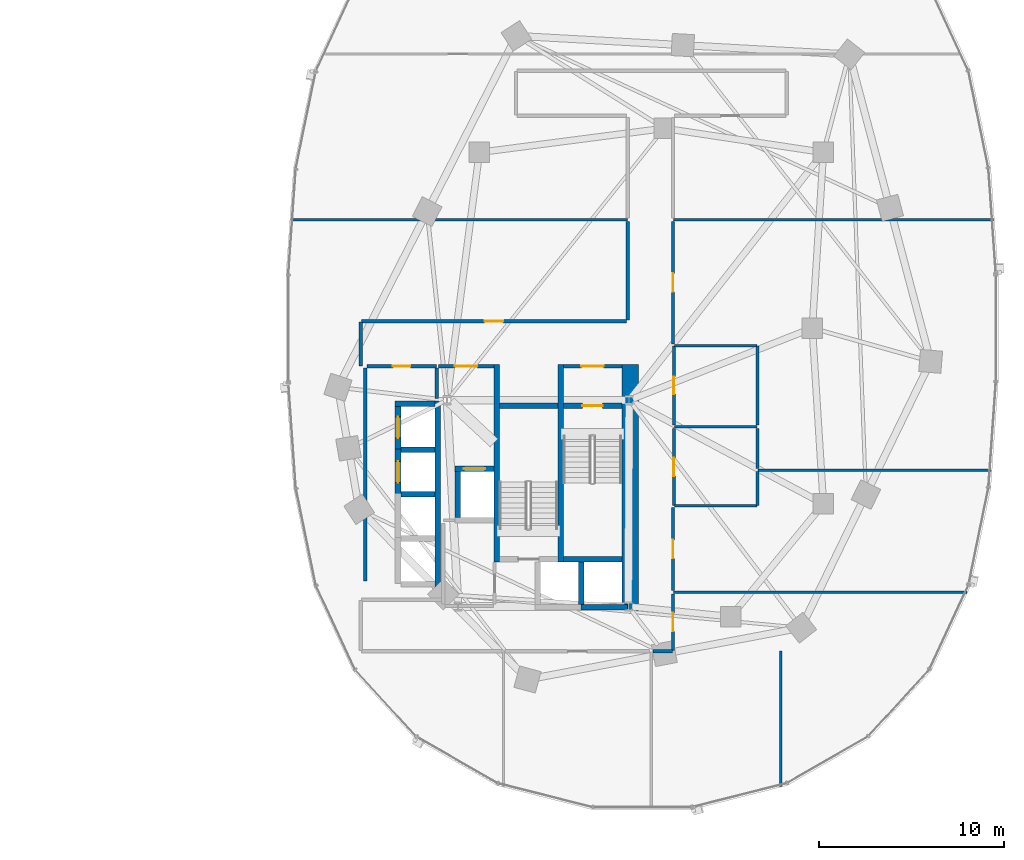
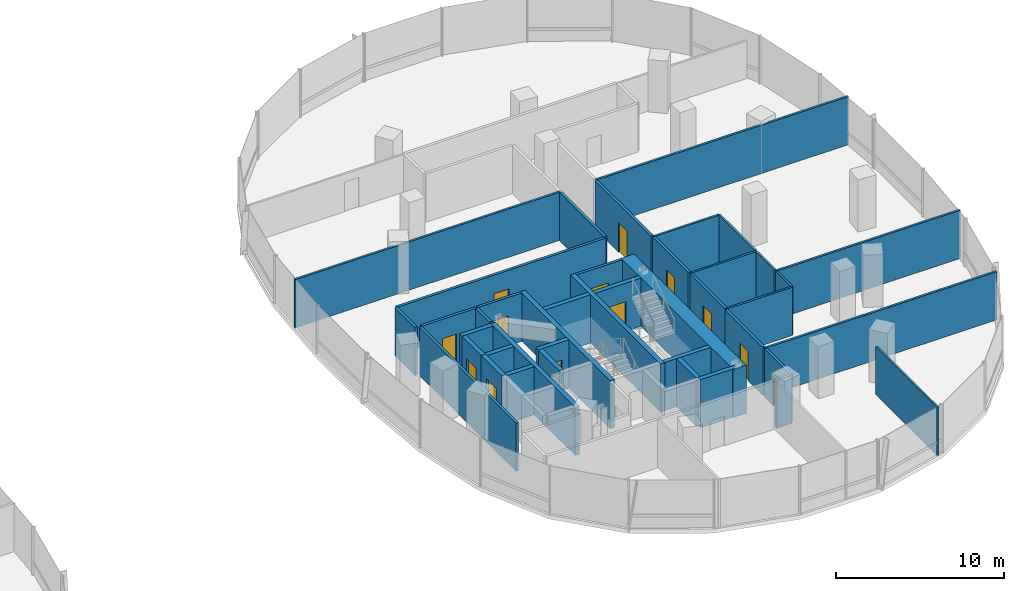
# One storey, part 13 of 21: 41 walls, 13 doors, 13 openings.
"""IFC4 building model written with IfcOpenShell, lengths in metres."""

from ifc_helpers import new_model, si_unit, direction, frame, frame_2d, origin, place, context, subcontext, project, spatial, rectangle, extrude, material, layer, layer_set, type_object, element, fill, save


model = new_model("IFC4")

# Units and contexts
model_context = context("Model", 3, precision=1e-05, world=origin(), true_north=direction((0.0, 1.0)))
body_context = subcontext(model_context, "Body", "Model", "MODEL_VIEW")
ifc_project = project(units=[si_unit("LENGTHUNIT", "METRE"), si_unit("AREAUNIT", "SQUARE_METRE"), si_unit("VOLUMEUNIT", "CUBIC_METRE"), si_unit("PLANEANGLEUNIT", "RADIAN"), si_unit("MASSUNIT", "GRAM", prefix="KILO"), si_unit("THERMODYNAMICTEMPERATUREUNIT", "KELVIN"), si_unit("POWERUNIT", "WATT")], contexts=[model_context])

# Site, building, storey
site_placement = place(None, origin())
site = spatial("IfcSite", under=ifc_project, at=site_placement, CompositionType="ELEMENT")
building_placement = place(site_placement, origin())
building = spatial("IfcBuilding", under=site, at=building_placement, Name="Cundina Bronze Exchange", CompositionType="ELEMENT")
storey_placement = place(building_placement, frame((0.0, 0.0, 65.800048828125)))
storey = spatial("IfcBuildingStorey", under=building, at=storey_placement, Name="L16", CompositionType="ELEMENT", Elevation=65.800048828125)

# Wall
ifc_material_1 = material(Name="Gypsum Fireboard Partition EI120")
ifc_layer_1 = layer(ifc_material_1, 0.179931640625, Name="Gypsum Fireboard Partition EI120")
ifc_layer_set_1 = layer_set([ifc_layer_1], Name="Gypsum Fireboard Partition EI120")
wall_type_1 = type_object("IfcWallType", Name="WL-COR-180", PredefinedType="PARTITIONING", material=ifc_layer_set_1)
wall_1_placement = place(storey_placement, frame((20.889892578125, -3.800048828125, 0.0), z_axis=(0.0, 0.0, 1.0), x_axis=(0.0, 1.0, 0.0)))
element("IfcWall", 1, at=wall_1_placement, inside=storey, type_object=wall_type_1, Name="L16 E Firefighting Lobby Side Wall", PredefinedType="PARTITIONING", context=body_context, shape_type="SweptSolid", body=[
    extrude(rectangle(XDim=1.650146484375, YDim=0.179931640625, at=frame_2d((0.8251953125, 0.0))), origin(), (0.0, 0.0, 1.0), 3.5),
])

# Wall, opening, door
wall_2_placement = place(storey_placement, frame((20.97998046875, -2.06005859375, 0.0), z_axis=(0.0, 0.0, 1.0), x_axis=(1.0, 0.0, 0.0)))
wall_2 = element("IfcWall", 2, at=wall_2_placement, inside=storey, type_object=wall_type_1, Name="L16 E Firefighting Lobby Exit Wall", PredefinedType="PARTITIONING", context=body_context, shape_type="SweptSolid", body=[
    extrude(rectangle(XDim=3.0, YDim=0.179931640625, at=frame_2d((1.5, 0.0))), origin(), (0.0, 0.0, 1.0), 3.5),
])
opening_1_placement = place(wall_2_placement, frame((0.89990234375, 0.0, 0.0)))
opening_1 = element("IfcOpeningElement", 3, at=opening_1_placement, cuts=wall_2, Name="Opening DF-01", PredefinedType="OPENING", context=body_context, shape_type="SweptSolid", body=[
    extrude(rectangle(XDim=1.199951171875, YDim=2.14990234375, at=frame_2d((0.60009765625, 1.074951171875))), frame((0.0, 0.099853515625, 0.0), z_axis=(0.0, -1.0, 0.0), x_axis=(1.0, 0.0, 0.0)), (0.0, 0.0, 1.0), 0.199951171875),
])
ifc_material_2 = material(Name="Steel ASTM A36 Painted", Category="steel")
door_type_1 = type_object("IfcDoorType", Name="DR-FFL-1200", OperationType="NOTDEFINED", PredefinedType="DOOR", material=ifc_material_2)
door_1_placement = place(opening_1_placement, origin())
door_1 = element("IfcDoor", 4, at=door_1_placement, inside=storey, type_object=door_type_1, Name="L16 E Firefighting Lobby Door", OperationType="SINGLE_SWING_LEFT", OverallHeight=2.14990234375, OverallWidth=1.199951171875, PredefinedType="DOOR", context=body_context, shape_type="SweptSolid", body=[
    extrude(rectangle(XDim=1.199951171875, YDim=2.14990234375, at=frame_2d((0.60009765625, 1.074951171875))), frame((0.0, 0.02490234375, 0.0), z_axis=(0.0, -1.0, 0.0), x_axis=(1.0, 0.0, 0.0)), (0.0, 0.0, 1.0), 0.050048828125),
])
fill(opening_1, door_1)

wall_3_placement = place(storey_placement, frame((27.739990234375, -2.06005859375, 0.0), z_axis=(0.0, 0.0, 1.0), x_axis=(1.0, 0.0, 0.0)))
wall_3 = element("IfcWall", 5, at=wall_3_placement, inside=storey, type_object=wall_type_1, Name="L16 E Stair Vestibule Exit Wall", PredefinedType="PARTITIONING", context=body_context, shape_type="SweptSolid", body=[
    extrude(rectangle(XDim=3.159912109375, YDim=0.179931640625, at=frame_2d((1.580078125, 0.0))), origin(), (0.0, 0.0, 1.0), 3.5),
])
opening_2_placement = place(wall_3_placement, frame((0.97998046875, 0.0, 0.0)))
opening_2 = element("IfcOpeningElement", 6, at=opening_2_placement, cuts=wall_3, Name="Opening DF-01", PredefinedType="OPENING", context=body_context, shape_type="SweptSolid", body=[
    extrude(rectangle(XDim=1.199951171875, YDim=2.14990234375, at=frame_2d((0.60009765625, 1.074951171875))), frame((0.0, 0.099853515625, 0.0), z_axis=(0.0, -1.0, 0.0), x_axis=(1.0, 0.0, 0.0)), (0.0, 0.0, 1.0), 0.199951171875),
])
door_2_placement = place(opening_2_placement, origin())
door_2 = element("IfcDoor", 7, at=door_2_placement, inside=storey, type_object=door_type_1, Name="L16 E Stair Vestibule Door", OperationType="SINGLE_SWING_RIGHT", OverallHeight=2.14990234375, OverallWidth=1.199951171875, PredefinedType="DOOR", context=body_context, shape_type="SweptSolid", body=[
    extrude(rectangle(XDim=1.199951171875, YDim=2.14990234375, at=frame_2d((0.60009765625, 1.074951171875))), frame((0.0, 0.02490234375, 0.0), z_axis=(0.0, -1.0, 0.0), x_axis=(1.0, 0.0, 0.0)), (0.0, 0.0, 1.0), 0.050048828125),
])
fill(opening_2, door_2)

# Wall
wall_4_placement = place(storey_placement, frame((17.02001953125, -13.679931640625, 0.0), z_axis=(0.0, 0.0, 1.0), x_axis=(0.0, 1.0, 0.0)))
element("IfcWall", 8, at=wall_4_placement, inside=storey, type_object=wall_type_1, Name="L16 Interior Partition 039", PredefinedType="PARTITIONING", context=body_context, shape_type="SweptSolid", body=[
    extrude(rectangle(XDim=11.510009765625, YDim=0.179931640625, at=frame_2d((5.7548828125, 0.0))), origin(), (0.0, 0.0, 1.0), 3.5),
])

# Wall, opening, door
wall_5_placement = place(storey_placement, frame((17.1201171875, -2.070068359375, 0.0), z_axis=(0.0, 0.0, 1.0), x_axis=(1.0, 0.0, 0.0)))
wall_5 = element("IfcWall", 9, at=wall_5_placement, inside=storey, type_object=wall_type_1, Name="L16 Interior Partition 040", PredefinedType="PARTITIONING", context=body_context, shape_type="SweptSolid", body=[
    extrude(rectangle(XDim=3.75, YDim=0.179931640625, at=frame_2d((1.875, 0.0))), origin(), (0.0, 0.0, 1.0), 3.5),
])
opening_3_placement = place(wall_5_placement, frame((1.39990234375, 0.0, 0.0)))
opening_3 = element("IfcOpeningElement", 10, at=opening_3_placement, cuts=wall_5, Name="Opening DW-01", PredefinedType="OPENING", context=body_context, shape_type="SweptSolid", body=[
    extrude(rectangle(XDim=0.949951171875, YDim=2.10009765625, at=frame_2d((0.47509765625, 1.050048828125))), frame((0.0, 0.099853515625, 0.0), z_axis=(0.0, -1.0, 0.0), x_axis=(1.0, 0.0, 0.0)), (0.0, 0.0, 1.0), 0.199951171875),
])
ifc_material_3 = material(Name="Solid Andean Oak Timber Grade A", Category="wood")
door_type_2 = type_object("IfcDoorType", Name="DR-WC-950", OperationType="NOTDEFINED", PredefinedType="DOOR", material=ifc_material_3)
door_3_placement = place(opening_3_placement, origin())
door_3 = element("IfcDoor", 11, at=door_3_placement, inside=storey, type_object=door_type_2, Name="L16 Interior Door 040", OperationType="SINGLE_SWING_LEFT", OverallHeight=2.10009765625, OverallWidth=0.949951171875, PredefinedType="DOOR", context=body_context, shape_type="SweptSolid", body=[
    extrude(rectangle(XDim=0.949951171875, YDim=2.10009765625, at=frame_2d((0.47509765625, 1.050048828125))), frame((0.0, 0.02490234375, 0.0), z_axis=(0.0, -1.0, 0.0), x_axis=(1.0, 0.0, 0.0)), (0.0, 0.0, 1.0), 0.050048828125),
])
fill(opening_3, door_3)

wall_6_placement = place(storey_placement, frame((33.719970703125, -5.22998046875, 0.0), z_axis=(0.0, 0.0, 1.0), x_axis=(0.0, 1.0, 0.0)))
wall_6 = element("IfcWall", 12, at=wall_6_placement, inside=storey, type_object=wall_type_1, Name="L16 Interior Partition 051", PredefinedType="PARTITIONING", context=body_context, shape_type="SweptSolid", body=[
    extrude(rectangle(XDim=4.260009765625, YDim=0.179931640625, at=frame_2d((2.1298828125, 0.0))), origin(), (0.0, 0.0, 1.0), 3.5),
])
opening_4_placement = place(wall_6_placement, frame((1.655029296875, 0.0, 0.0)))
opening_4 = element("IfcOpeningElement", 13, at=opening_4_placement, cuts=wall_6, Name="Opening DW-01", PredefinedType="OPENING", context=body_context, shape_type="SweptSolid", body=[
    extrude(rectangle(XDim=0.949951171875, YDim=2.10009765625, at=frame_2d((0.47509765625, 1.050048828125))), frame((0.0, 0.099853515625, 0.0), z_axis=(0.0, -1.0, 0.0), x_axis=(1.0, 0.0, 0.0)), (0.0, 0.0, 1.0), 0.199951171875),
])
door_4_placement = place(opening_4_placement, origin())
door_4 = element("IfcDoor", 14, at=door_4_placement, inside=storey, type_object=door_type_2, Name="L16 Interior Door 051", OperationType="SINGLE_SWING_LEFT", OverallHeight=2.10009765625, OverallWidth=0.949951171875, PredefinedType="DOOR", context=body_context, shape_type="SweptSolid", body=[
    extrude(rectangle(XDim=0.949951171875, YDim=2.10009765625, at=frame_2d((0.47509765625, 1.050048828125))), frame((0.0, 0.02490234375, 0.0), z_axis=(0.0, -1.0, 0.0), x_axis=(1.0, 0.0, 0.0)), (0.0, 0.0, 1.0), 0.050048828125),
])
fill(opening_4, door_4)

wall_7_placement = place(storey_placement, frame((33.719970703125, -9.590087890625, 0.0), z_axis=(0.0, 0.0, 1.0), x_axis=(0.0, 1.0, 0.0)))
wall_7 = element("IfcWall", 15, at=wall_7_placement, inside=storey, type_object=wall_type_1, Name="L16 Interior Partition 052", PredefinedType="PARTITIONING", context=body_context, shape_type="SweptSolid", body=[
    extrude(rectangle(XDim=4.16015625, YDim=0.179931640625, at=frame_2d((2.080078125, 0.0))), origin(), (0.0, 0.0, 1.0), 3.5),
])
opening_5_placement = place(wall_7_placement, frame((1.580078125, 0.0, 0.0)))
opening_5 = element("IfcOpeningElement", 16, at=opening_5_placement, cuts=wall_7, Name="Opening DO-01", PredefinedType="OPENING", context=body_context, shape_type="SweptSolid", body=[
    extrude(rectangle(XDim=1.0, YDim=2.14990234375, at=frame_2d((0.5, 1.074951171875))), frame((0.0, 0.099853515625, 0.0), z_axis=(0.0, -1.0, 0.0), x_axis=(1.0, 0.0, 0.0)), (0.0, 0.0, 1.0), 0.199951171875),
])
door_type_3 = type_object("IfcDoorType", Name="DR-OFF-1000", OperationType="NOTDEFINED", PredefinedType="DOOR", material=ifc_material_3)
door_5_placement = place(opening_5_placement, origin())
door_5 = element("IfcDoor", 17, at=door_5_placement, inside=storey, type_object=door_type_3, Name="L16 Interior Door 052", OperationType="SINGLE_SWING_LEFT", OverallHeight=2.14990234375, OverallWidth=1.0, PredefinedType="DOOR", context=body_context, shape_type="SweptSolid", body=[
    extrude(rectangle(XDim=1.0, YDim=2.14990234375, at=frame_2d((0.5, 1.074951171875))), frame((0.0, 0.02490234375, 0.0), z_axis=(0.0, -1.0, 0.0), x_axis=(1.0, 0.0, 0.0)), (0.0, 0.0, 1.0), 0.050048828125),
])
fill(opening_5, door_5)

wall_8_placement = place(storey_placement, frame((33.669921875, -17.428466796875, 0.0), z_axis=(0.0, 0.0, 1.0), x_axis=(0.0, 1.0, 0.0)))
wall_8 = element("IfcWall", 18, at=wall_8_placement, inside=storey, type_object=wall_type_1, Name="L16 Interior Partition 061", PredefinedType="PARTITIONING", context=body_context, shape_type="SweptSolid", body=[
    extrude(rectangle(XDim=3.058349609375, YDim=0.179931640625, at=frame_2d((1.529296875, 0.0))), origin(), (0.0, 0.0, 1.0), 3.5),
])
opening_6_placement = place(wall_8_placement, frame((1.029296875, 0.0, 0.0)))
opening_6 = element("IfcOpeningElement", 19, at=opening_6_placement, cuts=wall_8, Name="Opening DO-01", PredefinedType="OPENING", context=body_context, shape_type="SweptSolid", body=[
    extrude(rectangle(XDim=1.0, YDim=2.14990234375, at=frame_2d((0.5, 1.074951171875))), frame((0.0, 0.099853515625, 0.0), z_axis=(0.0, -1.0, 0.0), x_axis=(1.0, 0.0, 0.0)), (0.0, 0.0, 1.0), 0.199951171875),
])
door_6_placement = place(opening_6_placement, origin())
door_6 = element("IfcDoor", 20, at=door_6_placement, inside=storey, type_object=door_type_3, Name="L16 Interior Door 061", OperationType="SINGLE_SWING_RIGHT", OverallHeight=2.14990234375, OverallWidth=1.0, PredefinedType="DOOR", context=body_context, shape_type="SweptSolid", body=[
    extrude(rectangle(XDim=1.0, YDim=2.14990234375, at=frame_2d((0.5, 1.074951171875))), frame((0.0, 0.02490234375, 0.0), z_axis=(0.0, -1.0, 0.0), x_axis=(1.0, 0.0, 0.0)), (0.0, 0.0, 1.0), 0.050048828125),
])
fill(opening_6, door_6)

# Wall
wall_9_placement = place(storey_placement, frame((32.590087890625, -17.469970703125, 0.0), z_axis=(0.0, 0.0, 1.0), x_axis=(1.0, 0.0, 0.0)))
element("IfcWall", 21, at=wall_9_placement, inside=storey, type_object=wall_type_1, Name="L16 Interior Partition 062", PredefinedType="PARTITIONING", context=body_context, shape_type="SweptSolid", body=[
    extrude(rectangle(XDim=1.038330078125, YDim=0.179931640625, at=frame_2d((0.51904296875, 0.0))), origin(), (0.0, 0.0, 1.0), 3.5),
])

# Wall, opening, door
wall_10_placement = place(storey_placement, frame((33.669921875, -14.18994140625, 0.0), z_axis=(0.0, 0.0, 1.0), x_axis=(0.0, 1.0, 0.0)))
wall_10 = element("IfcWall", 22, at=wall_10_placement, inside=storey, type_object=wall_type_1, Name="L16 Interior Partition 063", PredefinedType="PARTITIONING", context=body_context, shape_type="SweptSolid", body=[
    extrude(rectangle(XDim=4.488525390625, YDim=0.179931640625, at=frame_2d((2.244140625, 0.0))), origin(), (0.0, 0.0, 1.0), 3.5),
])
opening_7_placement = place(wall_10_placement, frame((1.744384765625, 0.0, 0.0)))
opening_7 = element("IfcOpeningElement", 23, at=opening_7_placement, cuts=wall_10, Name="Opening DO-01", PredefinedType="OPENING", context=body_context, shape_type="SweptSolid", body=[
    extrude(rectangle(XDim=1.0, YDim=2.14990234375, at=frame_2d((0.5, 1.074951171875))), frame((0.0, 0.099853515625, 0.0), z_axis=(0.0, -1.0, 0.0), x_axis=(1.0, 0.0, 0.0)), (0.0, 0.0, 1.0), 0.199951171875),
])
door_7_placement = place(opening_7_placement, origin())
door_7 = element("IfcDoor", 24, at=door_7_placement, inside=storey, type_object=door_type_3, Name="L16 Interior Door 063", OperationType="SINGLE_SWING_LEFT", OverallHeight=2.14990234375, OverallWidth=1.0, PredefinedType="DOOR", context=body_context, shape_type="SweptSolid", body=[
    extrude(rectangle(XDim=1.0, YDim=2.14990234375, at=frame_2d((0.5, 1.074951171875))), frame((0.0, 0.02490234375, 0.0), z_axis=(0.0, -1.0, 0.0), x_axis=(1.0, 0.0, 0.0)), (0.0, 0.0, 1.0), 0.050048828125),
])
fill(opening_7, door_7)

wall_11_placement = place(storey_placement, frame((31.14990234375, 0.3701171875, 0.0), z_axis=(0.0, 0.0, 1.0), x_axis=(-1.0, 0.0, 0.0)))
wall_11 = element("IfcWall", 25, at=wall_11_placement, inside=storey, type_object=wall_type_1, Name="L16 Interior Partition 064", PredefinedType="PARTITIONING", context=body_context, shape_type="SweptSolid", body=[
    extrude(rectangle(XDim=14.328369140625, YDim=0.179931640625, at=frame_2d((7.1640625, 0.0))), origin(), (0.0, 0.0, 1.0), 3.5),
])
opening_8_placement = place(wall_11_placement, frame((6.664306640625, 0.0, 0.0)))
opening_8 = element("IfcOpeningElement", 26, at=opening_8_placement, cuts=wall_11, Name="Opening DO-01", PredefinedType="OPENING", context=body_context, shape_type="SweptSolid", body=[
    extrude(rectangle(XDim=1.0, YDim=2.14990234375, at=frame_2d((0.5, 1.074951171875))), frame((0.0, 0.099853515625, 0.0), z_axis=(0.0, -1.0, 0.0), x_axis=(1.0, 0.0, 0.0)), (0.0, 0.0, 1.0), 0.199951171875),
])
door_8_placement = place(opening_8_placement, origin())
door_8 = element("IfcDoor", 27, at=door_8_placement, inside=storey, type_object=door_type_3, Name="L16 Interior Door 064", OperationType="SINGLE_SWING_LEFT", OverallHeight=2.14990234375, OverallWidth=1.0, PredefinedType="DOOR", context=body_context, shape_type="SweptSolid", body=[
    extrude(rectangle(XDim=1.0, YDim=2.14990234375, at=frame_2d((0.5, 1.074951171875))), frame((0.0, 0.02490234375, 0.0), z_axis=(0.0, -1.0, 0.0), x_axis=(1.0, 0.0, 0.0)), (0.0, 0.0, 1.0), 0.050048828125),
])
fill(opening_8, door_8)

# Walls
wall_12_placement = place(storey_placement, frame((31.22998046875, 5.77001953125, 0.0), z_axis=(0.0, 0.0, 1.0), x_axis=(0.0, -1.0, 0.0)))
element("IfcWall", 28, at=wall_12_placement, inside=storey, type_object=wall_type_1, Name="L16 Interior Partition 066", PredefinedType="PARTITIONING", context=body_context, shape_type="SweptSolid", body=[
    extrude(rectangle(XDim=5.320068359375, YDim=0.179931640625, at=frame_2d((2.66015625, 0.0))), origin(), (0.0, 0.0, 1.0), 3.5),
])
wall_13_placement = place(storey_placement, frame((16.780029296875, 0.32861328125, 0.0), z_axis=(0.0, 0.0, 1.0), x_axis=(0.0, -1.0, 0.0)))
element("IfcWall", 29, at=wall_13_placement, inside=storey, type_object=wall_type_1, Name="L16 Interior Partition 069", PredefinedType="PARTITIONING", context=body_context, shape_type="SweptSolid", body=[
    extrude(rectangle(XDim=2.38720703125, YDim=0.179931640625, at=frame_2d((1.193603515625, 0.0))), origin(), (0.0, 0.0, 1.0), 3.5),
])

# Wall, opening, door
wall_14_placement = place(storey_placement, frame((33.669921875, -0.858642578125, 0.0), z_axis=(0.0, 0.0, 1.0), x_axis=(0.0, 1.0, 0.0)))
wall_14 = element("IfcWall", 30, at=wall_14_placement, inside=storey, type_object=wall_type_1, Name="L16 Interior Partition 070", PredefinedType="PARTITIONING", context=body_context, shape_type="SweptSolid", body=[
    extrude(rectangle(XDim=6.628662109375, YDim=0.179931640625, at=frame_2d((3.314453125, 0.0))), origin(), (0.0, 0.0, 1.0), 3.5),
])
opening_9_placement = place(wall_14_placement, frame((2.814208984375, 0.0, 0.0)))
opening_9 = element("IfcOpeningElement", 31, at=opening_9_placement, cuts=wall_14, Name="Opening DO-01", PredefinedType="OPENING", context=body_context, shape_type="SweptSolid", body=[
    extrude(rectangle(XDim=1.0, YDim=2.14990234375, at=frame_2d((0.5, 1.074951171875))), frame((0.0, 0.099853515625, 0.0), z_axis=(0.0, -1.0, 0.0), x_axis=(1.0, 0.0, 0.0)), (0.0, 0.0, 1.0), 0.199951171875),
])
door_9_placement = place(opening_9_placement, origin())
door_9 = element("IfcDoor", 32, at=door_9_placement, inside=storey, type_object=door_type_3, Name="L16 Interior Door 070", OperationType="SINGLE_SWING_LEFT", OverallHeight=2.14990234375, OverallWidth=1.0, PredefinedType="DOOR", context=body_context, shape_type="SweptSolid", body=[
    extrude(rectangle(XDim=1.0, YDim=2.14990234375, at=frame_2d((0.5, 1.074951171875))), frame((0.0, 0.02490234375, 0.0), z_axis=(0.0, -1.0, 0.0), x_axis=(1.0, 0.0, 0.0)), (0.0, 0.0, 1.0), 0.050048828125),
])
fill(opening_9, door_9)

# Walls
ifc_material_4 = material(Name="Concrete C60/75", Category="concrete")
ifc_layer_2 = layer(ifc_material_4, 0.89990234375, Name="Concrete C60/75", Category="concrete")
ifc_layer_set_2 = layer_set([ifc_layer_2], Name="Concrete C60/75")
wall_type_2 = type_object("IfcWallType", Name="WL-CORE-900", PredefinedType="SHEAR", material=ifc_layer_set_2)
wall_15_placement = place(storey_placement, frame((31.35009765625, -15.300048828125, 0.0), z_axis=(0.0, 0.0, 1.0), x_axis=(0.0, 1.0, 0.0)))
element("IfcWall", 33, at=wall_15_placement, inside=storey, type_object=wall_type_2, Name="L16 E Primary Core Shear Spine Wall", PredefinedType="SHEAR", context=body_context, shape_type="SweptSolid", body=[
    extrude(rectangle(XDim=13.330078125, YDim=0.89990234375, at=frame_2d((6.6650390625, 0.0))), origin(), (0.0, 0.0, 1.0), 3.5),
])
ifc_material_5 = material(Name="Gypsum Acoustic Partition EI60")
ifc_layer_3 = layer(ifc_material_5, 0.125, Name="Gypsum Acoustic Partition EI60")
ifc_layer_set_3 = layer_set([ifc_layer_3], Name="Gypsum Acoustic Partition EI60")
wall_type_3 = type_object("IfcWallType", Name="WL-OFF-125", PredefinedType="PARTITIONING", material=ifc_layer_set_3)
wall_16_placement = place(storey_placement, frame((39.5, -24.772216796875, 0.0), z_axis=(0.0, 0.0, 1.0), x_axis=(0.0, 1.0, 0.0)))
element("IfcWall", 34, at=wall_16_placement, inside=storey, type_object=wall_type_3, Name="L16 Interior Partition 059", PredefinedType="PARTITIONING", context=body_context, shape_type="SweptSolid", body=[
    extrude(rectangle(XDim=7.30224609375, YDim=0.125, at=frame_2d((3.651123046875, 0.0))), origin(), (0.0, 0.0, 1.0), 3.5),
])
ifc_material_6 = material(Name="Concrete C50/60", Category="concrete")
ifc_layer_4 = layer(ifc_material_6, 0.300048828125, Name="Concrete C50/60", Category="concrete")
ifc_layer_set_4 = layer_set([ifc_layer_4], Name="Concrete C50/60")
wall_type_4 = type_object("IfcWallType", Name="WL-SHFT-300", PredefinedType="SHEAR", material=ifc_layer_set_4)
for number, where, z_axis, x_axis, name in (
    (35, (27.590087890625, -12.64990234375, 0.0), (0.0, 0.0, 1.0), (0.0, 1.0, 0.0), "L16 E Stair Shaft Dividing Shear Wall"),
    (36, (24.1298828125, -12.64990234375, 0.0), (0.0, 0.0, 1.0), (0.0, 1.0, 0.0), "L16 E Stair 2 East Shear Wall"),
):
    element("IfcWall", number, at=place(storey_placement, frame(where, z_axis=z_axis, x_axis=x_axis)), inside=storey, type_object=wall_type_4, Name=name, PredefinedType="SHEAR", context=body_context, shape_type="SweptSolid", body=[
        extrude(rectangle(XDim=10.679931640625, YDim=0.300048828125, at=frame_2d((5.33984375, 0.0))), origin(), (0.0, 0.0, 1.0), 3.5),
    ])

# Wall, opening, door
wall_17_placement = place(storey_placement, frame((27.739990234375, -4.199951171875, 0.0), z_axis=(0.0, 0.0, 1.0), x_axis=(1.0, 0.0, 0.0)))
wall_17 = element("IfcWall", 37, at=wall_17_placement, inside=storey, type_object=wall_type_4, Name="L16 Stair E1 Landing Wall", PredefinedType="SHEAR", context=body_context, shape_type="SweptSolid", body=[
    extrude(rectangle(XDim=3.159912109375, YDim=0.300048828125, at=frame_2d((1.580078125, 0.0))), origin(), (0.0, 0.0, 1.0), 3.5),
])
opening_10_placement = place(wall_17_placement, frame((1.030029296875, 0.0, 0.0)))
opening_10 = element("IfcOpeningElement", 38, at=opening_10_placement, cuts=wall_17, Name="Opening DS-01", PredefinedType="OPENING", context=body_context, shape_type="SweptSolid", body=[
    extrude(rectangle(XDim=1.10009765625, YDim=2.14990234375, at=frame_2d((0.550048828125, 1.074951171875))), frame((0.0, 0.159912109375, 0.0), z_axis=(0.0, -1.0, 0.0), x_axis=(1.0, 0.0, 0.0)), (0.0, 0.0, 1.0), 0.320068359375),
])
door_type_4 = type_object("IfcDoorType", Name="DR-STR-1100", OperationType="NOTDEFINED", PredefinedType="DOOR", material=ifc_material_2)
door_10_placement = place(opening_10_placement, origin())
door_10 = element("IfcDoor", 39, at=door_10_placement, inside=storey, type_object=door_type_4, Name="L16 Smokeproof Stair E1 Door", OperationType="SINGLE_SWING_LEFT", OverallHeight=2.14990234375, OverallWidth=1.10009765625, PredefinedType="DOOR", context=body_context, shape_type="SweptSolid", body=[
    extrude(rectangle(XDim=1.10009765625, YDim=2.14990234375, at=frame_2d((0.550048828125, 1.074951171875))), frame((0.0, 0.02490234375, 0.0), z_axis=(0.0, -1.0, 0.0), x_axis=(1.0, 0.0, 0.0)), (0.0, 0.0, 1.0), 0.050048828125),
])
fill(opening_10, door_10)

# Walls
for number, where, z_axis, x_axis, name in (
    (40, (27.739990234375, -12.5, 0.0), (0.0, 0.0, 1.0), (1.0, 0.0, 0.0), "L16 Stair E1 Far Shaft Wall"),
    (41, (24.280029296875, -4.199951171875, 0.0), (0.0, 0.0, 1.0), (1.0, 0.0, 0.0), "L16 Stair E2 Far Shaft Wall"),
):
    element("IfcWall", number, at=place(storey_placement, frame(where, z_axis=z_axis, x_axis=x_axis)), inside=storey, type_object=wall_type_4, Name=name, PredefinedType="SHEAR", context=body_context, shape_type="SweptSolid", body=[
        extrude(rectangle(XDim=3.159912109375, YDim=0.300048828125, at=frame_2d((1.580078125, 0.0))), origin(), (0.0, 0.0, 1.0), 3.5),
    ])

# Wall, opening, door
wall_18_placement = place(storey_placement, frame((21.8798828125, -7.60009765625, 0.0), z_axis=(0.0, 0.0, 1.0), x_axis=(1.0, 0.0, 0.0)))
wall_18 = element("IfcWall", 42, at=wall_18_placement, inside=storey, type_object=wall_type_4, Name="L16 FFL-E Hoistway Front Wall", PredefinedType="SHEAR", context=body_context, shape_type="SweptSolid", body=[
    extrude(rectangle(XDim=2.10009765625, YDim=0.300048828125, at=frame_2d((1.050048828125, 0.0))), origin(), (0.0, 0.0, 1.0), 3.5),
])
opening_11_placement = place(wall_18_placement, frame((0.47509765625, 0.0, 0.0)))
opening_11 = element("IfcOpeningElement", 43, at=opening_11_placement, cuts=wall_18, Name="Opening LD-01", PredefinedType="OPENING", context=body_context, shape_type="SweptSolid", body=[
    extrude(rectangle(XDim=1.14990234375, YDim=2.199951171875, at=frame_2d((0.574951171875, 1.10009765625))), frame((0.0, 0.159912109375, 0.0), z_axis=(0.0, -1.0, 0.0), x_axis=(1.0, 0.0, 0.0)), (0.0, 0.0, 1.0), 0.320068359375),
])
door_type_5 = type_object("IfcDoorType", Name="DR-LND-1150", OperationType="NOTDEFINED", PredefinedType="TRAPDOOR", material=ifc_material_2)
door_11_placement = place(opening_11_placement, origin())
door_11 = element("IfcDoor", 44, at=door_11_placement, inside=storey, type_object=door_type_5, Name="L16 FFL-E Sliding Landing Door", OperationType="SLIDING_TO_LEFT", OverallHeight=2.199951171875, OverallWidth=1.14990234375, PredefinedType="TRAPDOOR", context=body_context, shape_type="SweptSolid", body=[
    extrude(rectangle(XDim=1.14990234375, YDim=2.199951171875, at=frame_2d((0.574951171875, 1.10009765625))), frame((0.0, 0.02490234375, 0.0), z_axis=(0.0, -1.0, 0.0), x_axis=(1.0, 0.0, 0.0)), (0.0, 0.0, 1.0), 0.050048828125),
])
fill(opening_11, door_11)

# Walls
for number, where, z_axis, x_axis, name in (
    (45, (22.030029296875, -10.25, 0.0), (0.0, 0.0, 1.0), (0.0, 1.0, 0.0), "L16 FFL-E Hoistway Side Wall"),
    (46, (28.699951171875, -15.10009765625, 0.0), (0.0, 0.0, 1.0), (1.0, 0.0, 0.0), "L16 PH-E1 Hoistway Front Wall"),
):
    element("IfcWall", number, at=place(storey_placement, frame(where, z_axis=z_axis, x_axis=x_axis)), inside=storey, type_object=wall_type_4, Name=name, PredefinedType="SHEAR", context=body_context, shape_type="SweptSolid", body=[
        extrude(rectangle(XDim=2.5, YDim=0.300048828125, at=frame_2d((1.25, 0.0))), origin(), (0.0, 0.0, 1.0), 3.5),
    ])
wall_19_placement = place(storey_placement, frame((28.699951171875, -14.949951171875, 0.0), z_axis=(0.0, 0.0, 1.0), x_axis=(0.0, 1.0, 0.0)))
element("IfcWall", 47, at=wall_19_placement, inside=storey, type_object=wall_type_4, Name="L16 PH-E1 Hoistway Divider Wall", PredefinedType="SHEAR", context=body_context, shape_type="SweptSolid", body=[
    extrude(rectangle(XDim=2.300048828125, YDim=0.300048828125, at=frame_2d((1.14990234375, 0.0))), origin(), (0.0, 0.0, 1.0), 3.5),
])
wall_20_placement = place(storey_placement, frame((20.949951171875, -14.0, 0.0), z_axis=(0.0, 0.0, 1.0), x_axis=(0.0, 1.0, 0.0)))
element("IfcWall", 48, at=wall_20_placement, inside=storey, type_object=wall_type_4, Name="L16 E Passenger Bank Hoistway Back Wall", PredefinedType="SHEAR", context=body_context, shape_type="SweptSolid", body=[
    extrude(rectangle(XDim=10.050048828125, YDim=0.300048828125, at=frame_2d((5.02490234375, 0.0))), origin(), (0.0, 0.0, 1.0), 3.5),
])
wall_21_placement = place(storey_placement, frame((18.64990234375, -4.10009765625, 0.0), z_axis=(0.0, 0.0, 1.0), x_axis=(1.0, 0.0, 0.0)))
element("IfcWall", 49, at=wall_21_placement, inside=storey, type_object=wall_type_4, Name="L16 E Passenger Bank North Cap Wall", PredefinedType="SHEAR", context=body_context, shape_type="SweptSolid", body=[
    extrude(rectangle(XDim=2.150146484375, YDim=0.300048828125, at=frame_2d((1.0751953125, 0.0))), origin(), (0.0, 0.0, 1.0), 3.5),
])
for number, where, z_axis, x_axis, name in (
    (50, (18.949951171875, -8.97509765625, 0.0), (0.0, 0.0, 1.0), (1.0, 0.0, 0.0), "L16 E Passenger Hoistway Divider 2"),
    (51, (18.949951171875, -6.574951171875, 0.0), (0.0, 0.0, 1.0), (1.0, 0.0, 0.0), "L16 E Passenger Hoistway Divider 3"),
):
    element("IfcWall", number, at=place(storey_placement, frame(where, z_axis=z_axis, x_axis=x_axis)), inside=storey, type_object=wall_type_4, Name=name, PredefinedType="SHEAR", context=body_context, shape_type="SweptSolid", body=[
        extrude(rectangle(XDim=1.85009765625, YDim=0.300048828125, at=frame_2d((0.925048828125, 0.0))), origin(), (0.0, 0.0, 1.0), 3.5),
    ])

# Wall, opening, door
wall_22_placement = place(storey_placement, frame((18.800048828125, -9.02001953125, 0.0), z_axis=(0.0, 0.0, 1.0), x_axis=(0.0, 1.0, 0.0)))
wall_22 = element("IfcWall", 52, at=wall_22_placement, inside=storey, type_object=wall_type_4, Name="L16 PL-E1 Hoistway Front Wall", PredefinedType="SHEAR", context=body_context, shape_type="SweptSolid", body=[
    extrude(rectangle(XDim=2.489990234375, YDim=0.300048828125, at=frame_2d((1.2451171875, 0.0))), origin(), (0.0, 0.0, 1.0), 3.5),
])
opening_12_placement = place(wall_22_placement, frame((0.669921875, 0.0, 0.0)))
opening_12 = element("IfcOpeningElement", 53, at=opening_12_placement, cuts=wall_22, Name="Opening LD-01", PredefinedType="OPENING", context=body_context, shape_type="SweptSolid", body=[
    extrude(rectangle(XDim=1.14990234375, YDim=2.199951171875, at=frame_2d((0.574951171875, 1.10009765625))), frame((0.0, 0.159912109375, 0.0), z_axis=(0.0, -1.0, 0.0), x_axis=(1.0, 0.0, 0.0)), (0.0, 0.0, 1.0), 0.320068359375),
])
door_12_placement = place(opening_12_placement, origin())
door_12 = element("IfcDoor", 54, at=door_12_placement, inside=storey, type_object=door_type_5, Name="L16 PL-E1 Sliding Landing Door", OperationType="SLIDING_TO_LEFT", OverallHeight=2.199951171875, OverallWidth=1.14990234375, PredefinedType="TRAPDOOR", context=body_context, shape_type="SweptSolid", body=[
    extrude(rectangle(XDim=1.14990234375, YDim=2.199951171875, at=frame_2d((0.574951171875, 1.10009765625))), frame((0.0, 0.02490234375, 0.0), z_axis=(0.0, -1.0, 0.0), x_axis=(1.0, 0.0, 0.0)), (0.0, 0.0, 1.0), 0.050048828125),
])
fill(opening_12, door_12)

wall_23_placement = place(storey_placement, frame((18.800048828125, -6.6201171875, 0.0), z_axis=(0.0, 0.0, 1.0), x_axis=(0.0, 1.0, 0.0)))
wall_23 = element("IfcWall", 55, at=wall_23_placement, inside=storey, type_object=wall_type_4, Name="L16 PL-E2 Hoistway Front Wall", PredefinedType="SHEAR", context=body_context, shape_type="SweptSolid", body=[
    extrude(rectangle(XDim=2.490234375, YDim=0.300048828125, at=frame_2d((1.2451171875, 0.0))), origin(), (0.0, 0.0, 1.0), 3.5),
])
opening_13_placement = place(wall_23_placement, frame((0.669921875, 0.0, 0.0)))
opening_13 = element("IfcOpeningElement", 56, at=opening_13_placement, cuts=wall_23, Name="Opening LD-01", PredefinedType="OPENING", context=body_context, shape_type="SweptSolid", body=[
    extrude(rectangle(XDim=1.14990234375, YDim=2.199951171875, at=frame_2d((0.574951171875, 1.10009765625))), frame((0.0, 0.159912109375, 0.0), z_axis=(0.0, -1.0, 0.0), x_axis=(1.0, 0.0, 0.0)), (0.0, 0.0, 1.0), 0.320068359375),
])
door_13_placement = place(opening_13_placement, origin())
door_13 = element("IfcDoor", 57, at=door_13_placement, inside=storey, type_object=door_type_5, Name="L16 PL-E2 Sliding Landing Door", OperationType="SLIDING_TO_LEFT", OverallHeight=2.199951171875, OverallWidth=1.14990234375, PredefinedType="TRAPDOOR", context=body_context, shape_type="SweptSolid", body=[
    extrude(rectangle(XDim=1.14990234375, YDim=2.199951171875, at=frame_2d((0.574951171875, 1.10009765625))), frame((0.0, 0.02490234375, 0.0), z_axis=(0.0, -1.0, 0.0), x_axis=(1.0, 0.0, 0.0)), (0.0, 0.0, 1.0), 0.050048828125),
])
fill(opening_13, door_13)

# Walls
ifc_layer_5 = layer(ifc_material_5, 0.14990234375, Name="Gypsum Acoustic Partition EI60")
ifc_layer_set_5 = layer_set([ifc_layer_5], Name="Gypsum Acoustic Partition EI60")
wall_type_5 = type_object("IfcWallType", Name="WL-TEN-150", PredefinedType="PARTITIONING", material=ifc_layer_set_5)
wall_24_placement = place(storey_placement, frame((12.998291015625, 5.860107421875, 0.0), z_axis=(0.0, 0.0, 1.0), x_axis=(1.0, 0.0, 0.0)))
element("IfcWall", 58, at=wall_24_placement, inside=storey, type_object=wall_type_5, Name="L16 Interior Partition 053", PredefinedType="PARTITIONING", context=body_context, shape_type="SweptSolid", body=[
    extrude(rectangle(XDim=18.20166015625, YDim=0.14990234375, at=frame_2d((9.100830078125, 0.0))), origin(), (0.0, 0.0, 1.0), 3.5),
])
wall_25_placement = place(storey_placement, frame((33.699951171875, 5.860107421875, 0.0), z_axis=(0.0, 0.0, 1.0), x_axis=(1.0, 0.0, 0.0)))
element("IfcWall", 59, at=wall_25_placement, inside=storey, type_object=wall_type_5, Name="L16 Interior Partition 054", PredefinedType="PARTITIONING", context=body_context, shape_type="SweptSolid", body=[
    extrude(rectangle(XDim=17.3017578125, YDim=0.14990234375, at=frame_2d((8.65087890625, 0.0))), origin(), (0.0, 0.0, 1.0), 3.5),
])
wall_26_placement = place(storey_placement, frame((38.27001953125, -7.679931640625, 0.0), z_axis=(0.0, 0.0, 1.0), x_axis=(1.0, 0.0, 0.0)))
element("IfcWall", 60, at=wall_26_placement, inside=storey, type_object=wall_type_5, Name="L16 Interior Partition 055", PredefinedType="PARTITIONING", context=body_context, shape_type="SweptSolid", body=[
    extrude(rectangle(XDim=12.603515625, YDim=0.14990234375, at=frame_2d((6.3017578125, 0.0))), origin(), (0.0, 0.0, 1.0), 3.5),
])
wall_27_placement = place(storey_placement, frame((33.699951171875, -14.280029296875, 0.0), z_axis=(0.0, 0.0, 1.0), x_axis=(1.0, 0.0, 0.0)))
element("IfcWall", 61, at=wall_27_placement, inside=storey, type_object=wall_type_5, Name="L16 Interior Partition 056", PredefinedType="PARTITIONING", context=body_context, shape_type="SweptSolid", body=[
    extrude(rectangle(XDim=15.856689453125, YDim=0.14990234375, at=frame_2d((7.92822265625, 0.0))), origin(), (0.0, 0.0, 1.0), 3.5),
])
ifc_material_7 = material(Name="Moisture-Resistant Masonry Block Grade M15", Category="masonry")
ifc_layer_6 = layer(ifc_material_7, 0.139892578125, Name="Moisture-Resistant Masonry Block Grade M15", Category="masonry")
ifc_layer_set_6 = layer_set([ifc_layer_6], Name="Moisture-Resistant Masonry Block Grade M15")
wall_type_6 = type_object("IfcWallType", Name="WL-WET-140", PredefinedType="PARTITIONING", material=ifc_layer_set_6)
wall_28_placement = place(storey_placement, frame((38.239990234375, -9.590087890625, 0.0), z_axis=(0.0, 0.0, 1.0), x_axis=(0.0, 1.0, 0.0)))
element("IfcWall", 62, at=wall_28_placement, inside=storey, type_object=wall_type_6, Name="L16 Interior Partition 045", PredefinedType="PARTITIONING", context=body_context, shape_type="SweptSolid", body=[
    extrude(rectangle(XDim=1.8251953125, YDim=0.139892578125, at=frame_2d((0.91259765625, 0.0))), origin(), (0.0, 0.0, 1.0), 3.5),
])
wall_29_placement = place(storey_placement, frame((38.239990234375, -7.594970703125, 0.0), z_axis=(0.0, 0.0, 1.0), x_axis=(0.0, 1.0, 0.0)))
element("IfcWall", 63, at=wall_29_placement, inside=storey, type_object=wall_type_6, Name="L16 Interior Partition 046", PredefinedType="PARTITIONING", context=body_context, shape_type="SweptSolid", body=[
    extrude(rectangle(XDim=2.179931640625, YDim=0.139892578125, at=frame_2d((1.08984375, 0.0))), origin(), (0.0, 0.0, 1.0), 3.5),
])
wall_30_placement = place(storey_placement, frame((38.239990234375, -5.2451171875, 0.0), z_axis=(0.0, 0.0, 1.0), x_axis=(0.0, 1.0, 0.0)))
element("IfcWall", 64, at=wall_30_placement, inside=storey, type_object=wall_type_6, Name="L16 Interior Partition 047", PredefinedType="PARTITIONING", context=body_context, shape_type="SweptSolid", body=[
    extrude(rectangle(XDim=4.275146484375, YDim=0.139892578125, at=frame_2d((2.1376953125, 0.0))), origin(), (0.0, 0.0, 1.0), 3.5),
])
for number, where, z_axis, x_axis, name in (
    (65, (33.739990234375, -0.949951171875, 0.0), (0.0, 0.0, 1.0), (1.0, 0.0, 0.0), "L16 Interior Partition 048"),
    (66, (33.739990234375, -5.330078125, 0.0), (0.0, 0.0, 1.0), (1.0, 0.0, 0.0), "L16 Interior Partition 049"),
    (67, (33.739990234375, -9.610107421875, 0.0), (0.0, 0.0, 1.0), (1.0, 0.0, 0.0), "L16 Interior Partition 050"),
):
    element("IfcWall", number, at=place(storey_placement, frame(where, z_axis=z_axis, x_axis=x_axis)), inside=storey, type_object=wall_type_6, Name=name, PredefinedType="PARTITIONING", context=body_context, shape_type="SweptSolid", body=[
        extrude(rectangle(XDim=4.47998046875, YDim=0.139892578125, at=frame_2d((2.239990234375, 0.0))), origin(), (0.0, 0.0, 1.0), 3.5),
    ])

save(model, "model.ifc")
